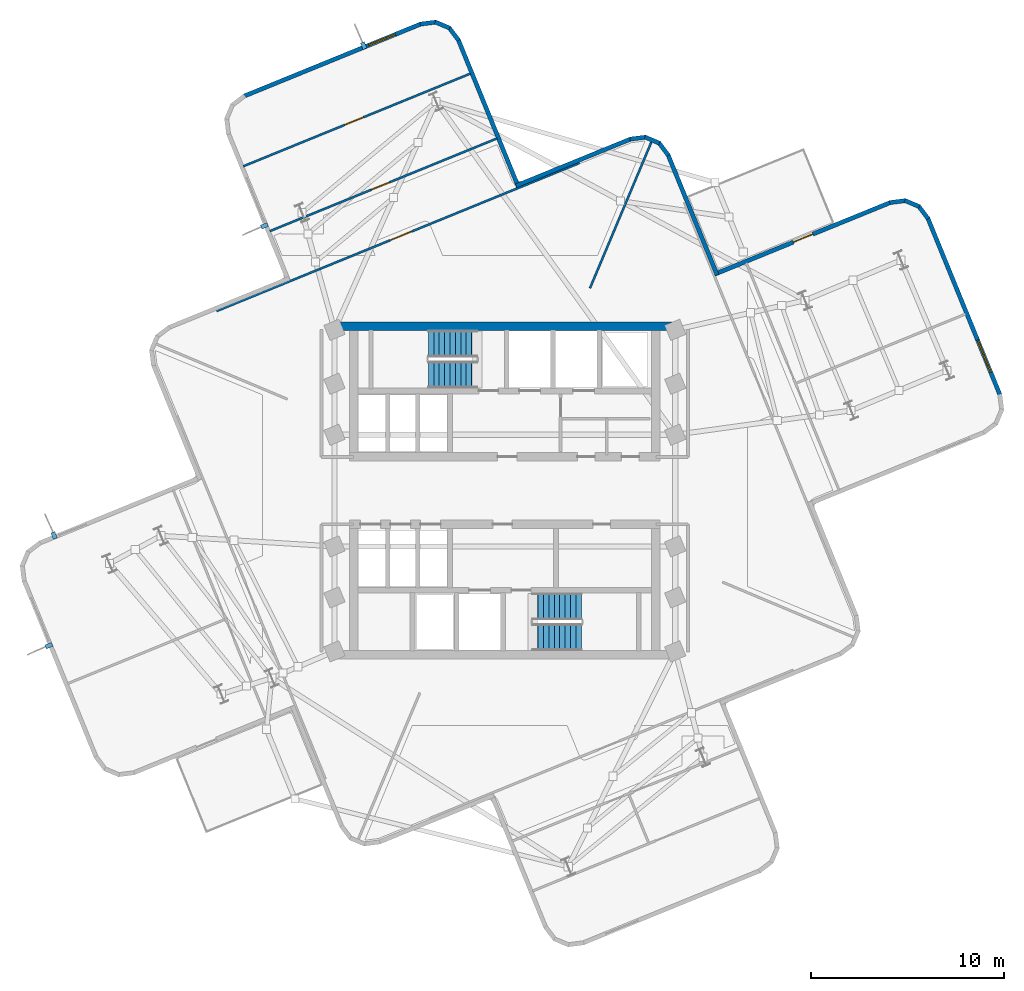
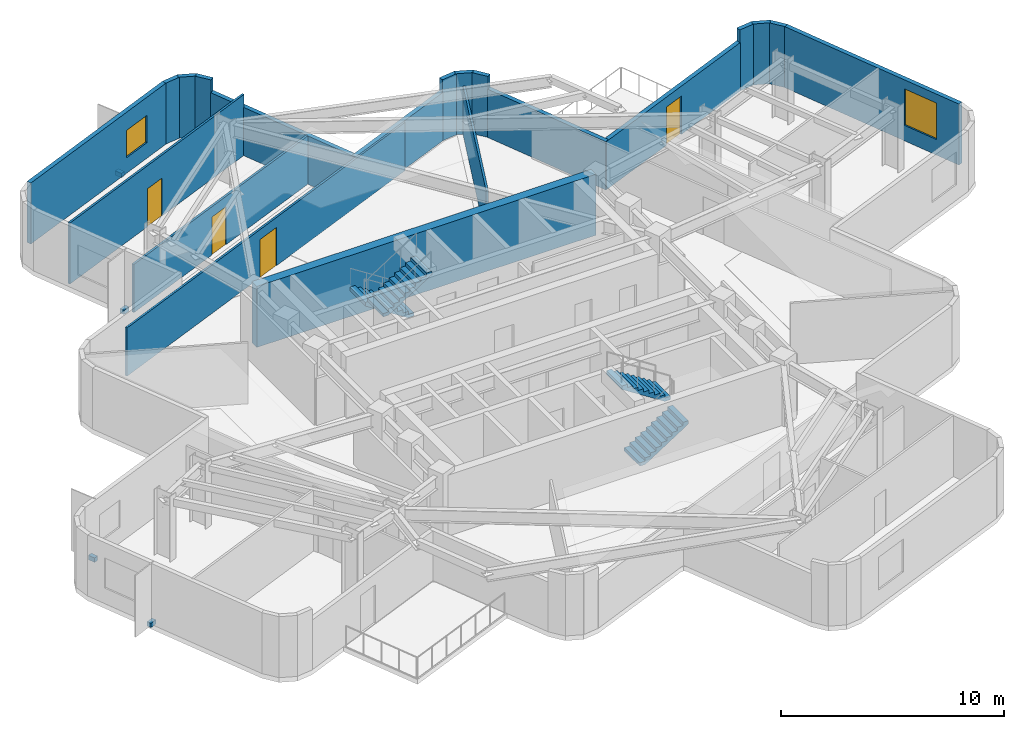
# One storey, part 5 of 8: 20 walls, 4 discrete accessories, 4 doors, 4 stair flights, 2 windows, 6 openings, 2 elements without a shape of their own.
"""IFC4 building model written with IfcOpenShell, lengths in metres."""

from ifc_helpers import new_model, si_unit, direction, frame, frame_2d, origin, origin_2d, place, context, subcontext, project, spatial, polyline, rectangle, outline, extrude, material, layer, layer_set, type_object, element, fill, aggregate, save


model = new_model("IFC4")

# Units and contexts
model_context = context("Model", 3, precision=1e-05, world=origin(), true_north=direction((0.0, 1.0)))
body_context = subcontext(model_context, "Body", "Model", "MODEL_VIEW")
ifc_project = project(units=[si_unit("LENGTHUNIT", "METRE"), si_unit("AREAUNIT", "SQUARE_METRE"), si_unit("VOLUMEUNIT", "CUBIC_METRE"), si_unit("PLANEANGLEUNIT", "RADIAN"), si_unit("MASSUNIT", "GRAM", prefix="KILO")], contexts=[model_context])

# Site, building, storey
site_placement = place(None, origin())
site = spatial("IfcSite", under=ifc_project, at=site_placement, CompositionType="ELEMENT")
building_placement = place(site_placement, origin())
building = spatial("IfcBuilding", under=site, at=building_placement, Name="Solmarez Civic Tower", CompositionType="ELEMENT")
storey_placement = place(building_placement, frame((0.0, 0.0, 173.8798828125)))
storey = spatial("IfcBuildingStorey", under=building, at=storey_placement, Name="L46", CompositionType="ELEMENT", Elevation=173.8798828125)

# Wall
ifc_material_1 = material(Name="Concrete C50/60", Category="concrete")
ifc_layer_1 = layer(ifc_material_1, 0.449951171875)
ifc_layer_set_1 = layer_set([ifc_layer_1], Name="Concrete C50/60")
wall_type_1 = type_object("IfcWallType", Name="WALL-CORE-450", PredefinedType="SHEAR", material=ifc_layer_set_1)
wall_1_placement = place(storey_placement, frame((-8.780029296875, 8.534912109375, 0.0), z_axis=(0.0, 0.0, 1.0), x_axis=(1.0, 0.0, 0.0)))
element("IfcWall", 1, at=wall_1_placement, inside=storey, type_object=wall_type_1, Name="L46 Split-Core Structural Wall NCW-N-L46", PredefinedType="SHEAR", context=body_context, shape_type="SweptSolid", body=[
    extrude(rectangle(XDim=17.56005859375, YDim=0.449951171875, at=frame_2d((8.780029296875, 0.0))), origin(), (0.0, 0.0, 1.0), 3.340087890625),
])

# Wall, opening, window
ifc_material_2 = material(Name="Precast concrete C40/50", Category="concrete")
ifc_layer_2 = layer(ifc_material_2, 0.219970703125)
ifc_layer_set_2 = layer_set([ifc_layer_2], Name="Precast concrete C40/50")
wall_type_2 = type_object("IfcWallType", Name="WALL-EXT-220", PredefinedType="SOLIDWALL", material=ifc_layer_set_2)
wall_2_placement = place(storey_placement, frame((-13.555908203125, 20.487060546875, 0.0), z_axis=(0.0, 0.0, 1.0), x_axis=(0.925910764104, 0.377742315497, 0.0)))
wall_2 = element("IfcWall", 2, at=wall_2_placement, inside=storey, type_object=wall_type_2, Name="L46 Exterior Precast Wall 24", PredefinedType="SOLIDWALL", context=body_context, shape_type="SweptSolid", body=[
    extrude(rectangle(XDim=9.9404296875, YDim=0.219970703125, at=frame_2d((4.97021484375, 0.0))), origin(), (0.0, 0.0, 1.0), 3.340087890625),
])
opening_1_placement = place(wall_2_placement, frame((7.00390625, 0.0, 0.85009765625)))
opening_1 = element("IfcOpeningElement", 3, at=opening_1_placement, cuts=wall_2, Name="Opening W-14", PredefinedType="OPENING", context=body_context, shape_type="SweptSolid", body=[
    extrude(rectangle(XDim=1.5, YDim=1.5, at=frame_2d((0.75, 0.75))), frame((0.0, 0.119873046875, 0.0), z_axis=(0.0, -1.0, 0.0), x_axis=(1.0, 0.0, 0.0)), (0.0, 0.0, 1.0), 0.239990234375),
])
ifc_material_3 = material(Name="Solar Control Bronze-Tinted Insulating Glass", Category="glass")
window_type_1 = type_object("IfcWindowType", Name="WIN-1500X1500", PartitioningType="SINGLE_PANEL", PredefinedType="WINDOW", material=ifc_material_3)
window_1_placement = place(opening_1_placement, origin())
window_1 = element("IfcWindow", 4, at=window_1_placement, inside=storey, type_object=window_type_1, Name="L46 Exterior Facade Window 24", OverallHeight=1.5, OverallWidth=1.5, PartitioningType="SINGLE_PANEL", PredefinedType="WINDOW", context=body_context, shape_type="SweptSolid", body=[
    extrude(rectangle(XDim=1.5, YDim=1.5, at=frame_2d((0.75, 0.75))), frame((0.0, 0.030029296875, 0.0), z_axis=(0.0, -1.0, 0.0), x_axis=(1.0, 0.0, 0.0)), (0.0, 0.0, 1.0), 0.06005859375),
])
fill(opening_1, window_1)

# Walls
wall_3_placement = place(storey_placement, frame((-4.39990234375, 24.22998046875, 0.0), z_axis=(0.0, 0.0, 1.0), x_axis=(0.992055766308, 0.125798873345, 0.0)))
element("IfcWall", 5, at=wall_3_placement, inside=storey, type_object=wall_type_2, Name="L46 Exterior Precast Wall 25", PredefinedType="SOLIDWALL", context=body_context, shape_type="SweptSolid", body=[
    extrude(rectangle(XDim=0.83447265625, YDim=0.219970703125, at=frame_2d((0.417236328125, 0.0))), origin(), (0.0, 0.0, 1.0), 3.340087890625),
])
wall_4_placement = place(storey_placement, frame((-3.6201171875, 24.342041015625, 0.0), z_axis=(0.0, 0.0, 1.0), x_axis=(0.921135688986, -0.389241624799, 0.0)))
element("IfcWall", 6, at=wall_4_placement, inside=storey, type_object=wall_type_2, Name="L46 Exterior Precast Wall 26", PredefinedType="SOLIDWALL", context=body_context, shape_type="SweptSolid", body=[
    extrude(rectangle(XDim=0.81982421875, YDim=0.219970703125, at=frame_2d((0.409912109375, 0.0))), origin(), (0.0, 0.0, 1.0), 3.340087890625),
])
wall_5_placement = place(storey_placement, frame((-2.903076171875, 24.052978515625, 0.0), z_axis=(0.0, 0.0, 1.0), x_axis=(0.604674842585, -0.79647243188, 0.0)))
element("IfcWall", 7, at=wall_5_placement, inside=storey, type_object=wall_type_2, Name="L46 Exterior Precast Wall 27", PredefinedType="SOLIDWALL", context=body_context, shape_type="SweptSolid", body=[
    extrude(rectangle(XDim=0.833740234375, YDim=0.219970703125, at=frame_2d((0.4169921875, 0.0))), origin(), (0.0, 0.0, 1.0), 3.340087890625),
])
wall_6_placement = place(storey_placement, frame((-2.423095703125, 23.431884765625, 0.0), z_axis=(0.0, 0.0, 1.0), x_axis=(0.377824590968, -0.925877194049, 0.0)))
element("IfcWall", 8, at=wall_6_placement, inside=storey, type_object=wall_type_2, Name="L46 Exterior Precast Wall 28", PredefinedType="SOLIDWALL", context=body_context, shape_type="SweptSolid", body=[
    extrude(rectangle(XDim=8.258056640625, YDim=0.219970703125, at=frame_2d((4.12890625, 0.0))), origin(), (0.0, 0.0, 1.0), 2.64404296875),
])
wall_7_placement = place(storey_placement, frame((0.5830078125, 15.833984375, 0.0), z_axis=(0.0, 0.0, 1.0), x_axis=(0.925896916469, 0.377776256629, 0.0)))
element("IfcWall", 9, at=wall_7_placement, inside=storey, type_object=wall_type_2, Name="L46 Exterior Precast Wall 31", PredefinedType="SOLIDWALL", context=body_context, shape_type="SweptSolid", body=[
    extrude(rectangle(XDim=6.43798828125, YDim=0.219970703125, at=frame_2d((3.218994140625, 0.0))), origin(), (0.0, 0.0, 1.0), 2.64404296875),
])
wall_8_placement = place(storey_placement, frame((6.49609375, 18.25390625, 0.0), z_axis=(0.0, 0.0, 1.0), x_axis=(0.992201162123, 0.124646916858, 0.0)))
element("IfcWall", 10, at=wall_8_placement, inside=storey, type_object=wall_type_2, Name="L46 Exterior Precast Wall 32", PredefinedType="SOLIDWALL", context=body_context, shape_type="SweptSolid", body=[
    extrude(rectangle(XDim=0.83447265625, YDim=0.219970703125, at=frame_2d((0.417236328125, 0.0))), origin(), (0.0, 0.0, 1.0), 3.340087890625),
])
wall_9_placement = place(storey_placement, frame((7.27587890625, 18.364990234375, 0.0), z_axis=(0.0, 0.0, 1.0), x_axis=(0.9216690265, -0.387977068381, 0.0)))
element("IfcWall", 11, at=wall_9_placement, inside=storey, type_object=wall_type_2, Name="L46 Exterior Precast Wall 33", PredefinedType="SOLIDWALL", context=body_context, shape_type="SweptSolid", body=[
    extrude(rectangle(XDim=0.8193359375, YDim=0.219970703125, at=frame_2d((0.40966796875, 0.0))), origin(), (0.0, 0.0, 1.0), 3.340087890625),
])
wall_10_placement = place(storey_placement, frame((7.992919921875, 18.076904296875, 0.0), z_axis=(0.0, 0.0, 1.0), x_axis=(0.604815890473, -0.796365329878, 0.0)))
element("IfcWall", 12, at=wall_10_placement, inside=storey, type_object=wall_type_2, Name="L46 Exterior Precast Wall 34", PredefinedType="SOLIDWALL", context=body_context, shape_type="SweptSolid", body=[
    extrude(rectangle(XDim=0.83349609375, YDim=0.219970703125, at=frame_2d((0.416748046875, 0.0))), origin(), (0.0, 0.0, 1.0), 3.340087890625),
])
wall_11_placement = place(storey_placement, frame((8.472900390625, 17.4560546875, 0.0), z_axis=(0.0, 0.0, 1.0), x_axis=(0.377728271133, -0.925916493636, 0.0)))
element("IfcWall", 13, at=wall_11_placement, inside=storey, type_object=wall_type_2, Name="L46 Exterior Precast Wall 35", PredefinedType="SOLIDWALL", context=body_context, shape_type="SweptSolid", body=[
    extrude(rectangle(XDim=6.7587890625, YDim=0.219970703125, at=frame_2d((3.37939453125, 0.0))), origin(), (0.0, 0.0, 1.0), 2.64404296875),
])

# Wall, opening, door
wall_12_placement = place(storey_placement, frame((10.912109375, 11.24609375, 0.0), z_axis=(0.0, 0.0, 1.0), x_axis=(0.925863027914, 0.377859303897, 0.0)))
wall_12 = element("IfcWall", 14, at=wall_12_placement, inside=storey, type_object=wall_type_2, Name="L46 Exterior Precast Wall 38", PredefinedType="SOLIDWALL", context=body_context, shape_type="SweptSolid", body=[
    extrude(rectangle(XDim=9.857666015625, YDim=0.219970703125, at=frame_2d((4.9287109375, 0.0))), origin(), (0.0, 0.0, 1.0), 2.64404296875),
])
opening_2_placement = place(wall_12_placement, frame((4.39990234375, 0.0, 0.0)))
opening_2 = element("IfcOpeningElement", 15, at=opening_2_placement, cuts=wall_12, Name="Opening D-06", PredefinedType="OPENING", context=body_context, shape_type="SweptSolid", body=[
    extrude(rectangle(XDim=1.10009765625, YDim=2.10009765625, at=frame_2d((0.550048828125, 1.050048828125))), frame((0.0, 0.119873046875, 0.0), z_axis=(0.0, -1.0, 0.0), x_axis=(1.0, 0.0, 0.0)), (0.0, 0.0, 1.0), 0.239990234375),
])
ifc_material_4 = material(Name="Bronze Anodised Aluminium Glazed Terrace Door", Category="aluminium")
door_type_1 = type_object("IfcDoorType", Name="DOOR-TERR-1100", OperationType="NOTDEFINED", PredefinedType="DOOR", material=ifc_material_4)
door_1_placement = place(opening_2_placement, origin())
door_1 = element("IfcDoor", 16, at=door_1_placement, inside=storey, type_object=door_type_1, Name="L46 Outdoor Terrace Glazed Door", OperationType="SINGLE_SWING_RIGHT", OverallHeight=2.10009765625, OverallWidth=1.10009765625, PredefinedType="DOOR", context=body_context, shape_type="SweptSolid", body=[
    extrude(rectangle(XDim=1.10009765625, YDim=2.10009765625, at=frame_2d((0.550048828125, 1.050048828125))), frame((0.0, 0.02490234375, 0.0), z_axis=(0.0, -1.0, 0.0), x_axis=(1.0, 0.0, 0.0)), (0.0, 0.0, 1.0), 0.050048828125),
])
fill(opening_2, door_1)

# Walls
wall_13_placement = place(storey_placement, frame((19.990966796875, 14.958984375, 0.0), z_axis=(0.0, 0.0, 1.0), x_axis=(0.992205706202, 0.124610740225, 0.0)))
element("IfcWall", 17, at=wall_13_placement, inside=storey, type_object=wall_type_2, Name="L46 Exterior Precast Wall 39", PredefinedType="SOLIDWALL", context=body_context, shape_type="SweptSolid", body=[
    extrude(rectangle(XDim=0.834716796875, YDim=0.219970703125, at=frame_2d((0.41748046875, 0.0))), origin(), (0.0, 0.0, 1.0), 3.340087890625),
])
wall_14_placement = place(storey_placement, frame((20.77099609375, 15.070068359375, 0.0), z_axis=(0.0, 0.0, 1.0), x_axis=(0.92151752204, -0.388336782412, 0.0)))
element("IfcWall", 18, at=wall_14_placement, inside=storey, type_object=wall_type_2, Name="L46 Exterior Precast Wall 40", PredefinedType="SOLIDWALL", context=body_context, shape_type="SweptSolid", body=[
    extrude(rectangle(XDim=0.819091796875, YDim=0.219970703125, at=frame_2d((0.40966796875, 0.0))), origin(), (0.0, 0.0, 1.0), 3.340087890625),
])
wall_15_placement = place(storey_placement, frame((21.488037109375, 14.781982421875, 0.0), z_axis=(0.0, 0.0, 1.0), x_axis=(0.604489037034, -0.796613459657, 0.0)))
element("IfcWall", 19, at=wall_15_placement, inside=storey, type_object=wall_type_2, Name="L46 Exterior Precast Wall 41", PredefinedType="SOLIDWALL", context=body_context, shape_type="SweptSolid", body=[
    extrude(rectangle(XDim=0.83349609375, YDim=0.219970703125, at=frame_2d((0.416748046875, 0.0))), origin(), (0.0, 0.0, 1.0), 3.340087890625),
])

# Wall, opening, window
wall_16_placement = place(storey_placement, frame((21.968017578125, 14.160888671875, 0.0), z_axis=(0.0, 0.0, 1.0), x_axis=(0.377847588582, -0.925867809032, 0.0)))
wall_16 = element("IfcWall", 20, at=wall_16_placement, inside=storey, type_object=wall_type_2, Name="L46 Exterior Precast Wall 42", PredefinedType="SOLIDWALL", context=body_context, shape_type="SweptSolid", body=[
    extrude(rectangle(XDim=9.940673828125, YDim=0.219970703125, at=frame_2d((4.97021484375, 0.0))), origin(), (0.0, 0.0, 1.0), 3.340087890625),
])
opening_3_placement = place(wall_16_placement, frame((6.85400390625, 0.0, 0.85009765625)))
opening_3 = element("IfcOpeningElement", 21, at=opening_3_placement, cuts=wall_16, Name="Opening W-04", PredefinedType="OPENING", context=body_context, shape_type="SweptSolid", body=[
    extrude(rectangle(XDim=1.800048828125, YDim=2.0, at=frame_2d((0.89990234375, 1.0))), frame((0.0, 0.119873046875, 0.0), z_axis=(0.0, -1.0, 0.0), x_axis=(1.0, 0.0, 0.0)), (0.0, 0.0, 1.0), 0.239990234375),
])
window_type_2 = type_object("IfcWindowType", Name="WIN-1800X2000", PartitioningType="SINGLE_PANEL", PredefinedType="WINDOW", material=ifc_material_3)
window_2_placement = place(opening_3_placement, origin())
window_2 = element("IfcWindow", 22, at=window_2_placement, inside=storey, type_object=window_type_2, Name="L46 Exterior Facade Window 42", OverallHeight=2.0, OverallWidth=1.800048828125, PartitioningType="SINGLE_PANEL", PredefinedType="WINDOW", context=body_context, shape_type="SweptSolid", body=[
    extrude(rectangle(XDim=1.800048828125, YDim=2.0, at=frame_2d((0.89990234375, 1.0))), frame((0.0, 0.030029296875, 0.0), z_axis=(0.0, -1.0, 0.0), x_axis=(1.0, 0.0, 0.0)), (0.0, 0.0, 1.0), 0.06005859375),
])
fill(opening_3, window_2)

# Wall
ifc_material_5 = material(Name="Gypsum Board Acoustic Steel-Stud Partition", Category="steel")
ifc_layer_3 = layer(ifc_material_5, 0.110107421875)
ifc_layer_set_3 = layer_set([ifc_layer_3], Name="Gypsum Board Acoustic Steel-Stud Partition")
wall_type_3 = type_object("IfcWallType", Name="WALL-INT-PART-110", PredefinedType="PARTITIONING", material=ifc_layer_set_3)
wall_17_placement = place(storey_placement, frame((4.41796875, 10.509033203125, 0.0), z_axis=(0.0, 0.0, 1.0), x_axis=(0.387471247296, 0.921881788799, 0.0)))
element("IfcWall", 23, at=wall_17_placement, inside=storey, type_object=wall_type_3, Name="L46 Interior Partition PT-L46-QDIV-1", PredefinedType="PARTITIONING", context=body_context, shape_type="SweptSolid", body=[
    extrude(rectangle(XDim=8.2744140625, YDim=0.110107421875, at=frame_2d((4.13720703125, 0.0))), origin(), (0.0, 0.0, 1.0), 2.64404296875),
])

# Wall, opening, door
wall_18_placement = place(storey_placement, frame((-14.972900390625, 9.322998046875, 0.0), z_axis=(0.0, 0.0, 1.0), x_axis=(0.92584978414, 0.377891753295, 0.0)))
wall_18 = element("IfcWall", 24, at=wall_18_placement, inside=storey, type_object=wall_type_3, Name="L46 Interior Partition PT-L46-N-ENT", PredefinedType="PARTITIONING", context=body_context, shape_type="SweptSolid", body=[
    extrude(rectangle(XDim=20.360595703125, YDim=0.110107421875, at=frame_2d((10.18017578125, 0.0))), origin(), (0.0, 0.0, 1.0), 2.64404296875),
])
opening_4_placement = place(wall_18_placement, frame((9.740966796875, 0.0, 0.0)))
opening_4 = element("IfcOpeningElement", 25, at=opening_4_placement, cuts=wall_18, Name="Opening D-11", PredefinedType="OPENING", context=body_context, shape_type="SweptSolid", body=[
    extrude(rectangle(XDim=1.199951171875, YDim=2.10009765625, at=frame_2d((0.60009765625, 1.050048828125))), frame((0.0, 0.06494140625, 0.0), z_axis=(0.0, -1.0, 0.0), x_axis=(1.0, 0.0, 0.0)), (0.0, 0.0, 1.0), 0.130126953125),
])
ifc_material_6 = material(Name="Glazed-Vision Acoustic Chamber Door", Category="wood")
door_type_2 = type_object("IfcDoorType", Name="DOOR-INT-1200", OperationType="NOTDEFINED", PredefinedType="DOOR", material=ifc_material_6)
door_2_placement = place(opening_4_placement, origin())
door_2 = element("IfcDoor", 26, at=door_2_placement, inside=storey, type_object=door_type_2, Name="L46 Citizen Legal Clinic First North Door", OperationType="SINGLE_SWING_LEFT", OverallHeight=2.10009765625, OverallWidth=1.199951171875, PredefinedType="DOOR", context=body_context, shape_type="SweptSolid", body=[
    extrude(rectangle(XDim=1.199951171875, YDim=2.10009765625, at=frame_2d((0.60009765625, 1.050048828125))), frame((0.0, 0.02490234375, 0.0), z_axis=(0.0, -1.0, 0.0), x_axis=(1.0, 0.0, 0.0)), (0.0, 0.0, 1.0), 0.050048828125),
])
fill(opening_4, door_2)

wall_19_placement = place(storey_placement, frame((-12.2119140625, 13.47509765625, 0.0), z_axis=(0.0, 0.0, 1.0), x_axis=(0.925887289182, 0.377799851417, 0.0)))
wall_19 = element("IfcWall", 27, at=wall_19_placement, inside=storey, type_object=wall_type_3, Name="L46 Interior Partition PT-L46-N-SC1", PredefinedType="PARTITIONING", context=body_context, shape_type="SweptSolid", body=[
    extrude(rectangle(XDim=12.749755859375, YDim=0.110107421875, at=frame_2d((6.375, 0.0))), origin(), (0.0, 0.0, 1.0), 2.64404296875),
])
opening_5_placement = place(wall_19_placement, frame((5.68994140625, 0.0, 0.0)))
opening_5 = element("IfcOpeningElement", 28, at=opening_5_placement, cuts=wall_19, Name="Opening D-13", PredefinedType="OPENING", context=body_context, shape_type="SweptSolid", body=[
    extrude(rectangle(XDim=1.050048828125, YDim=2.080078125, at=frame_2d((0.52490234375, 1.0400390625))), frame((0.0, 0.06494140625, 0.0), z_axis=(0.0, -1.0, 0.0), x_axis=(1.0, 0.0, 0.0)), (0.0, 0.0, 1.0), 0.130126953125),
])
ifc_material_7 = material(Name="Timber Directorate Office Door", Category="wood")
door_type_3 = type_object("IfcDoorType", Name="DOOR-INT-1050", OperationType="NOTDEFINED", PredefinedType="DOOR", material=ifc_material_7)
door_3_placement = place(opening_5_placement, origin())
door_3 = element("IfcDoor", 29, at=door_3_placement, inside=storey, type_object=door_type_3, Name="L46 Public Reading Room North Door", OperationType="SINGLE_SWING_LEFT", OverallHeight=2.080078125, OverallWidth=1.050048828125, PredefinedType="DOOR", context=body_context, shape_type="SweptSolid", body=[
    extrude(rectangle(XDim=1.050048828125, YDim=2.080078125, at=frame_2d((0.52490234375, 1.0400390625))), frame((0.0, 0.02490234375, 0.0), z_axis=(0.0, -1.0, 0.0), x_axis=(1.0, 0.0, 0.0)), (0.0, 0.0, 1.0), 0.050048828125),
])
fill(opening_5, door_3)

wall_20_placement = place(storey_placement, frame((-13.5869140625, 16.844970703125, 0.0), z_axis=(0.0, 0.0, 1.0), x_axis=(0.925853796027, 0.377881923864, 0.0)))
wall_20 = element("IfcWall", 30, at=wall_20_placement, inside=storey, type_object=wall_type_3, Name="L46 Interior Partition PT-L46-N-SC2", PredefinedType="PARTITIONING", context=body_context, shape_type="SweptSolid", body=[
    extrude(rectangle(XDim=12.750244140625, YDim=0.110107421875, at=frame_2d((6.375, 0.0))), origin(), (0.0, 0.0, 1.0), 3.340087890625),
])
opening_6_placement = place(wall_20_placement, frame((5.68994140625, 0.0, 0.0)))
opening_6 = element("IfcOpeningElement", 31, at=opening_6_placement, cuts=wall_20, Name="Opening D-13", PredefinedType="OPENING", context=body_context, shape_type="SweptSolid", body=[
    extrude(rectangle(XDim=1.050048828125, YDim=2.080078125, at=frame_2d((0.52490234375, 1.0400390625))), frame((0.0, 0.06494140625, 0.0), z_axis=(0.0, -1.0, 0.0), x_axis=(1.0, 0.0, 0.0)), (0.0, 0.0, 1.0), 0.130126953125),
])
door_4_placement = place(opening_6_placement, origin())
door_4 = element("IfcDoor", 32, at=door_4_placement, inside=storey, type_object=door_type_3, Name="L46 Wellness Fitness Room North Door", OperationType="SINGLE_SWING_RIGHT", OverallHeight=2.080078125, OverallWidth=1.050048828125, PredefinedType="DOOR", context=body_context, shape_type="SweptSolid", body=[
    extrude(rectangle(XDim=1.050048828125, YDim=2.080078125, at=frame_2d((0.52490234375, 1.0400390625))), frame((0.0, 0.02490234375, 0.0), z_axis=(0.0, -1.0, 0.0), x_axis=(1.0, 0.0, 0.0)), (0.0, 0.0, 1.0), 0.050048828125),
])
fill(opening_6, door_4)

# Stair, stair flights
stair_type = type_object("IfcStairType", Name="STAIR-DOGLEG-140W-20R-1800", PredefinedType="HALF_TURN_STAIR", material=ifc_material_1)
stair_1_placement = place(storey_placement, origin())
stair_1 = element("IfcStair", 33, at=stair_1_placement, inside=storey, type_object=stair_type, Name="L46 North Core Protected Exit Stair ST-1", PredefinedType="HALF_TURN_STAIR")
stair_flight_type = type_object("IfcStairFlightType", Name="FLIGHT-DOGLEG-140W-10R-1800", PredefinedType="STRAIGHT", material=ifc_material_1)
stair_flight_1_placement = place(storey_placement, frame((-1.449951171875, 7.6201171875, 0.0), z_axis=(0.0, 0.0, 1.0), x_axis=(-1.0, 0.0, 0.0)))
stair_flight_1 = element("IfcStairFlight", 34, at=stair_flight_1_placement, type_object=stair_flight_type, Name="ST-1 flight 1", NumberOfRisers=10, NumberOfTreads=9, PredefinedType="STRAIGHT", RiserHeight=0.18, TreadLength=0.28, context=body_context, shape_type="SweptSolid", body=[
    extrude(outline(polyline([(0.0, 0.0), (0.0, 0.179931640625), (0.280029296875, 0.179931640625), (0.280029296875, 0.360107421875), (0.56005859375, 0.360107421875), (0.56005859375, 0.5400390625), (0.840087890625, 0.5400390625), (0.840087890625, 0.719970703125), (1.1201171875, 0.719970703125), (1.1201171875, 0.89990234375), (1.39990234375, 0.89990234375), (1.39990234375, 1.080078125), (1.679931640625, 1.080078125), (1.679931640625, 1.260009765625), (1.9599609375, 1.260009765625), (1.9599609375, 1.43994140625), (2.239990234375, 1.43994140625), (2.239990234375, 1.6201171875), (2.52001953125, 1.6201171875), (2.52001953125, 1.800048828125), (2.52001953125, 1.429931640625), (0.295654296875, 0.0), (0.0, 0.0)])), frame((0.0, 0.699951171875, 0.0), z_axis=(0.0, -1.0, 0.0), x_axis=(1.0, 0.0, 0.0)), (0.0, 0.0, 1.0), 1.39990234375),
])
stair_flight_2_placement = place(storey_placement, frame((-3.969970703125, 6.02001953125, 1.800048828125), z_axis=(0.0, 0.0, 1.0), x_axis=(1.0, 0.0, 0.0)))
stair_flight_2 = element("IfcStairFlight", 35, at=stair_flight_2_placement, type_object=stair_flight_type, Name="ST-1 flight 2", NumberOfRisers=10, NumberOfTreads=9, PredefinedType="STRAIGHT", RiserHeight=0.18, TreadLength=0.28, context=body_context, shape_type="SweptSolid", body=[
    extrude(outline(polyline([(0.0, 0.0), (0.0, 0.179931640625), (0.280029296875, 0.179931640625), (0.280029296875, 0.360107421875), (0.56005859375, 0.360107421875), (0.56005859375, 0.5400390625), (0.840087890625, 0.5400390625), (0.840087890625, 0.719970703125), (1.1201171875, 0.719970703125), (1.1201171875, 0.89990234375), (1.39990234375, 0.89990234375), (1.39990234375, 1.080078125), (1.679931640625, 1.080078125), (1.679931640625, 1.260009765625), (1.9599609375, 1.260009765625), (1.9599609375, 1.43994140625), (2.239990234375, 1.43994140625), (2.239990234375, 1.6201171875), (2.52001953125, 1.6201171875), (2.52001953125, 1.800048828125), (2.52001953125, 1.429931640625), (0.295654296875, 0.0), (0.0, 0.0)])), frame((0.0, 0.699951171875, 0.0), z_axis=(0.0, -1.0, 0.0), x_axis=(1.0, 0.0, 0.0)), (0.0, 0.0, 1.0), 1.39990234375),
])
aggregate(stair_1, [stair_flight_1, stair_flight_2])

stair_2_placement = place(storey_placement, origin())
stair_2 = element("IfcStair", 36, at=stair_2_placement, inside=storey, type_object=stair_type, Name="L46 South Core Protected Exit Stair ST-2", PredefinedType="HALF_TURN_STAIR")
stair_flight_3_placement = place(storey_placement, frame((1.449951171875, -7.6201171875, 0.0), z_axis=(0.0, 0.0, 1.0), x_axis=(1.0, 0.0, 0.0)))
stair_flight_3 = element("IfcStairFlight", 37, at=stair_flight_3_placement, type_object=stair_flight_type, Name="ST-2 flight 1", NumberOfRisers=10, NumberOfTreads=9, PredefinedType="STRAIGHT", RiserHeight=0.18, TreadLength=0.28, context=body_context, shape_type="SweptSolid", body=[
    extrude(outline(polyline([(0.0, 0.0), (0.0, 0.179931640625), (0.280029296875, 0.179931640625), (0.280029296875, 0.360107421875), (0.56005859375, 0.360107421875), (0.56005859375, 0.5400390625), (0.840087890625, 0.5400390625), (0.840087890625, 0.719970703125), (1.1201171875, 0.719970703125), (1.1201171875, 0.89990234375), (1.39990234375, 0.89990234375), (1.39990234375, 1.080078125), (1.679931640625, 1.080078125), (1.679931640625, 1.260009765625), (1.9599609375, 1.260009765625), (1.9599609375, 1.43994140625), (2.239990234375, 1.43994140625), (2.239990234375, 1.6201171875), (2.52001953125, 1.6201171875), (2.52001953125, 1.800048828125), (2.52001953125, 1.429931640625), (0.295654296875, 0.0), (0.0, 0.0)])), frame((0.0, 0.699951171875, 0.0), z_axis=(0.0, -1.0, 0.0), x_axis=(1.0, 0.0, 0.0)), (0.0, 0.0, 1.0), 1.39990234375),
])
stair_flight_4_placement = place(storey_placement, frame((3.969970703125, -6.02001953125, 1.800048828125), z_axis=(0.0, 0.0, 1.0), x_axis=(-1.0, 0.0, 0.0)))
stair_flight_4 = element("IfcStairFlight", 38, at=stair_flight_4_placement, type_object=stair_flight_type, Name="ST-2 flight 2", NumberOfRisers=10, NumberOfTreads=9, PredefinedType="STRAIGHT", RiserHeight=0.18, TreadLength=0.28, context=body_context, shape_type="SweptSolid", body=[
    extrude(outline(polyline([(0.0, 0.0), (0.0, 0.179931640625), (0.280029296875, 0.179931640625), (0.280029296875, 0.360107421875), (0.56005859375, 0.360107421875), (0.56005859375, 0.5400390625), (0.840087890625, 0.5400390625), (0.840087890625, 0.719970703125), (1.1201171875, 0.719970703125), (1.1201171875, 0.89990234375), (1.39990234375, 0.89990234375), (1.39990234375, 1.080078125), (1.679931640625, 1.080078125), (1.679931640625, 1.260009765625), (1.9599609375, 1.260009765625), (1.9599609375, 1.43994140625), (2.239990234375, 1.43994140625), (2.239990234375, 1.6201171875), (2.52001953125, 1.6201171875), (2.52001953125, 1.800048828125), (2.52001953125, 1.429931640625), (0.295654296875, 0.0), (0.0, 0.0)])), frame((0.0, 0.699951171875, 0.0), z_axis=(0.0, -1.0, 0.0), x_axis=(1.0, 0.0, 0.0)), (0.0, 0.0, 1.0), 1.39990234375),
])
aggregate(stair_2, [stair_flight_3, stair_flight_4])

# Discrete accessories
ifc_material_8 = material(Name="Stainless Steel Grade 1.4401", Category="steel")
discrete_accessory_type = type_object("IfcDiscreteAccessoryType", Name="BRACKET-SS-FIN", PredefinedType="BRACKET", material=ifc_material_8)
for number, where, z_axis, x_axis, name in (
    (39, (-23.68408203125, -8.051025390625, -0.06005859375), (0.0, 0.0, 1.0), (-0.925881568842, -0.377813870152, 0.0), "L46 Stainless Fin Support Bracket FIN-L46-01"),
    (40, (-23.4150390625, -2.330078125, -0.06005859375), (0.0, 0.0, 1.0), (-0.377857883769, 0.925863607489, 0.0), "L46 Stainless Fin Support Bracket FIN-L46-02"),
    (41, (-12.490966796875, 13.751953125, -0.06005859375), (0.0, 0.0, 1.0), (-0.925863420809, -0.377858341193, 0.0), "L46 Stainless Fin Support Bracket FIN-L46-03"),
    (42, (-7.3330078125, 23.113037109375, -0.06005859375), (0.0, 0.0, 1.0), (-0.377813870152, 0.925881568842, 0.0), "L46 Stainless Fin Support Bracket FIN-L46-04"),
):
    element("IfcDiscreteAccessory", number, at=place(storey_placement, frame(where, z_axis=z_axis, x_axis=x_axis)), inside=storey, type_object=discrete_accessory_type, Name=name, PredefinedType="BRACKET", context=body_context, shape_type="SweptSolid", body=[
        extrude(rectangle(XDim=0.360107421875, YDim=0.219970703125, at=origin_2d()), origin(), (0.0, 0.0, 1.0), 0.239990234375),
    ])

save(model, "model.ifc")
